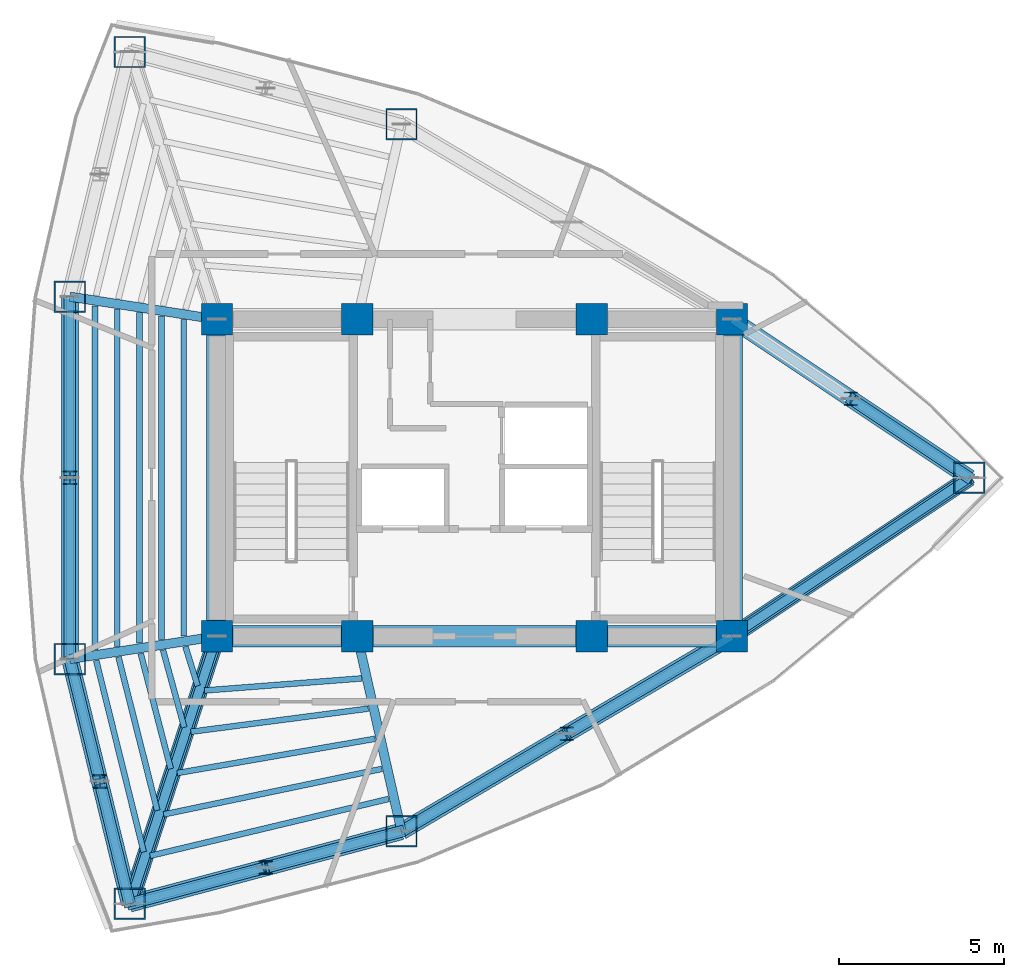
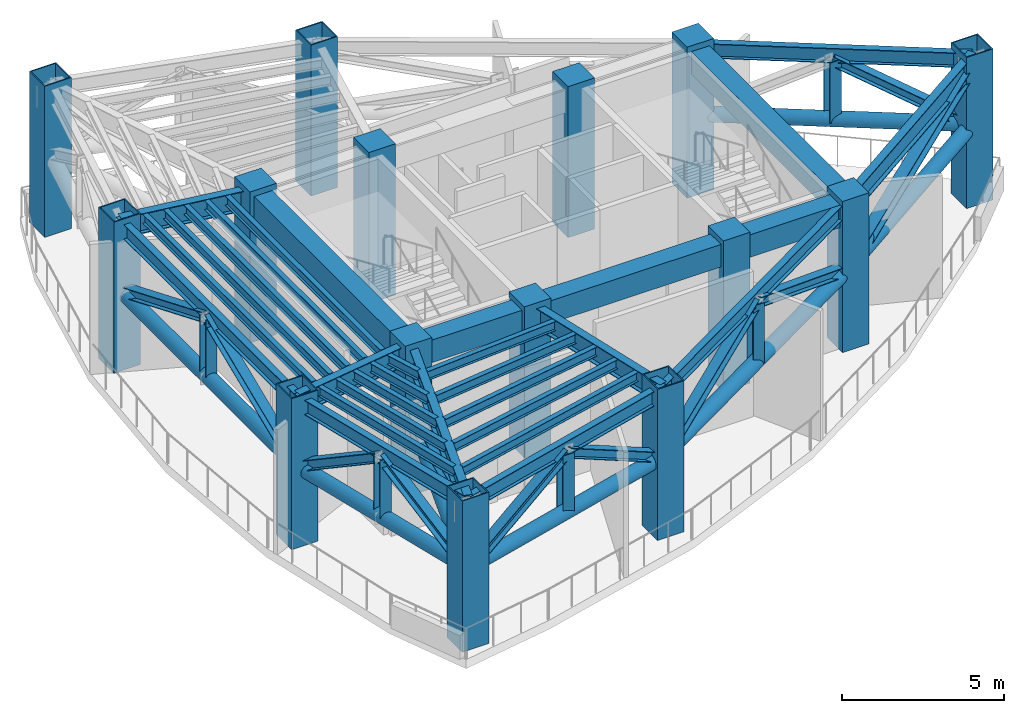
# One storey, part 1 of 6: 30 beams, 23 members, 15 columns.
"""IFC4 building model written with IfcOpenShell, lengths in metres."""

from ifc_helpers import new_model, si_unit, direction, frame, origin, origin_2d, place, context, subcontext, project, spatial, rectangle, hollow_rectangle, hollow_circle, i_section, extrude, material, material_profile, profile_set, type_object, element, save


model = new_model("IFC4")

# Units and contexts
model_context = context("Model", 3, precision=1e-05, world=origin(), true_north=direction((0.0, 1.0)))
body_context = subcontext(model_context, "Body", "Model", "MODEL_VIEW")
ifc_project = project(units=[si_unit("LENGTHUNIT", "METRE"), si_unit("AREAUNIT", "SQUARE_METRE"), si_unit("VOLUMEUNIT", "CUBIC_METRE"), si_unit("PLANEANGLEUNIT", "RADIAN"), si_unit("MASSUNIT", "GRAM", prefix="KILO")], contexts=[model_context])

# Site, building, storey
site_placement = place(None, origin())
site = spatial("IfcSite", under=ifc_project, at=site_placement, CompositionType="ELEMENT")
building_placement = place(site_placement, origin())
building = spatial("IfcBuilding", under=site, at=building_placement, Name="Menara Vayukalpa", CompositionType="ELEMENT")
storey_placement = place(building_placement, frame((0.0, 0.0, 213.840087890625)))
storey = spatial("IfcBuildingStorey", under=building, at=storey_placement, Name="L54", CompositionType="ELEMENT", Elevation=213.840087890625)

# Columns
ifc_material_1 = material(Name="Concrete C60/75", Category="concrete")
ifc_material_profile_1 = material_profile(ifc_material_1, rectangle(XDim=0.949951171875, YDim=0.949951171875, at=origin_2d()), Name="RC 950x950")
ifc_profile_set_1 = profile_set([ifc_material_profile_1], Name="Concrete C60/75")
column_type_1 = type_object("IfcColumnType", Name="COL-CC2", PredefinedType="COLUMN", material=ifc_profile_set_1)
for number, where, z_axis, x_axis, name in (
    (1, (17.800048828125, 17.199951171875, 0.0), (0.0, 0.0, 1.0), (1.0, 0.0, 0.0), "L54 Core Pilaster Column CC1"),
    (2, (22.050048828125, 17.199951171875, 0.0), (0.0, 0.0, 1.0), (1.0, 0.0, 0.0), "L54 Core Pilaster Column CC2"),
    (3, (29.14990234375, 17.199951171875, 0.0), (0.0, 0.0, 1.0), (1.0, 0.0, 0.0), "L54 Core Pilaster Column CC3"),
    (4, (33.39990234375, 17.199951171875, 0.0), (0.0, 0.0, 1.0), (1.0, 0.0, 0.0), "L54 Core Pilaster Column CC4"),
    (5, (17.800048828125, 26.800048828125, 0.0), (0.0, 0.0, 1.0), (1.0, 0.0, 0.0), "L54 Core Pilaster Column CC5"),
    (6, (22.050048828125, 26.800048828125, 0.0), (0.0, 0.0, 1.0), (1.0, 0.0, 0.0), "L54 Core Pilaster Column CC6"),
    (7, (29.14990234375, 26.800048828125, 0.0), (0.0, 0.0, 1.0), (1.0, 0.0, 0.0), "L54 Core Pilaster Column CC7"),
    (8, (33.39990234375, 26.800048828125, 0.0), (0.0, 0.0, 1.0), (1.0, 0.0, 0.0), "L54 Core Pilaster Column CC8"),
):
    element("IfcColumn", number, at=place(storey_placement, frame(where, z_axis=z_axis, x_axis=x_axis)), inside=storey, type_object=column_type_1, Name=name, PredefinedType="COLUMN", context=body_context, shape_type="SweptSolid", body=[
        extrude(rectangle(XDim=0.949951171875, YDim=0.949951171875, at=origin_2d()), origin(), (0.0, 0.0, 1.0), 5.699951171875),
    ])
ifc_material_2 = material(Name="Steel S460", Category="steel")
ifc_material_profile_2 = material_profile(ifc_material_2, hollow_rectangle(XDim=0.949951171875, YDim=0.949951171875, WallThickness=0.0400390625, at=origin_2d()), Name="BOX 950x950x40")
ifc_profile_set_2 = profile_set([ifc_material_profile_2], Name="Steel S460")
column_type_2 = type_object("IfcColumnType", Name="COL-MC4", PredefinedType="COLUMN", material=ifc_profile_set_2)
for number, where, z_axis, x_axis, name in (
    (9, (40.590576171875, 22.0, 0.0), (0.0, 0.0, 1.0), (1.0, 0.0, 0.0), "L54 Perimeter Mega Column P01"),
    (10, (23.389404296875, 32.70849609375, 0.0), (0.0, 0.0, 1.0), (1.0, 0.0, 0.0), "L54 Perimeter Mega Column P03"),
    (11, (15.15478515625, 34.902587890625, 0.0), (0.0, 0.0, 1.0), (1.0, 0.0, 0.0), "L54 Perimeter Mega Column P04"),
    (12, (13.343994140625, 27.4892578125, 0.0), (0.0, 0.0, 1.0), (1.0, 0.0, 0.0), "L54 Perimeter Mega Column P05"),
    (13, (13.343994140625, 16.5107421875, 0.0), (0.0, 0.0, 1.0), (1.0, 0.0, 0.0), "L54 Perimeter Mega Column P06"),
    (14, (15.15478515625, 9.097412109375, 0.0), (0.0, 0.0, 1.0), (1.0, 0.0, 0.0), "L54 Perimeter Mega Column P07"),
    (15, (23.389404296875, 11.29150390625, 0.0), (0.0, 0.0, 1.0), (1.0, 0.0, 0.0), "L54 Perimeter Mega Column P08"),
):
    element("IfcColumn", number, at=place(storey_placement, frame(where, z_axis=z_axis, x_axis=x_axis)), inside=storey, type_object=column_type_2, Name=name, PredefinedType="COLUMN", context=body_context, shape_type="SweptSolid", body=[
        extrude(hollow_rectangle(XDim=0.949951171875, YDim=0.949951171875, WallThickness=0.0400390625, at=origin_2d()), origin(), (0.0, 0.0, 1.0), 5.699951171875),
    ])

# Beams
ifc_material_3 = material(Name="Concrete C60/75", Category="concrete")
ifc_material_profile_3 = material_profile(ifc_material_3, rectangle(XDim=0.64990234375, YDim=0.85009765625, at=origin_2d()), Name="RC 650x850")
ifc_profile_set_3 = profile_set([ifc_material_profile_3], Name="Concrete C60/75")
beam_type_1 = type_object("IfcBeamType", Name="BM-CB1", PredefinedType="BEAM", material=ifc_profile_set_3)
beam_1_placement = place(storey_placement, frame((17.800048828125, 17.199951171875, 5.054931640625), z_axis=(1.0, 0.0, 0.0), x_axis=(0.0, 1.0, 0.0)))
element("IfcBeam", 16, at=beam_1_placement, inside=storey, type_object=beam_type_1, Name="L54 Core Tie Beam CBR1", PredefinedType="BEAM", context=body_context, shape_type="SweptSolid", body=[
    extrude(rectangle(XDim=0.64990234375, YDim=0.85009765625, at=origin_2d()), origin(), (0.0, 0.0, 1.0), 4.25),
])
beam_2_placement = place(storey_placement, frame((22.050048828125, 17.199951171875, 5.054931640625), z_axis=(1.0, 0.0, 0.0), x_axis=(0.0, 1.0, 0.0)))
element("IfcBeam", 17, at=beam_2_placement, inside=storey, type_object=beam_type_1, Name="L54 Core Tie Beam CBR2", PredefinedType="BEAM", context=body_context, shape_type="SweptSolid", body=[
    extrude(rectangle(XDim=0.64990234375, YDim=0.85009765625, at=origin_2d()), origin(), (0.0, 0.0, 1.0), 7.099853515625),
])
beam_3_placement = place(storey_placement, frame((29.14990234375, 17.199951171875, 5.054931640625), z_axis=(1.0, 0.0, 0.0), x_axis=(0.0, 1.0, 0.0)))
element("IfcBeam", 18, at=beam_3_placement, inside=storey, type_object=beam_type_1, Name="L54 Core Tie Beam CBR3", PredefinedType="BEAM", context=body_context, shape_type="SweptSolid", body=[
    extrude(rectangle(XDim=0.64990234375, YDim=0.85009765625, at=origin_2d()), origin(), (0.0, 0.0, 1.0), 4.25),
])
for number, where, z_axis, x_axis, name in (
    (19, (17.800048828125, 17.199951171875, 5.054931640625), (0.0, 1.0, 0.0), (-1.0, 0.0, 0.0), "L54 Core Tie Beam CBR7"),
    (20, (33.39990234375, 17.199951171875, 5.054931640625), (0.0, 1.0, 0.0), (-1.0, 0.0, 0.0), "L54 Core Tie Beam CBR8"),
):
    element("IfcBeam", number, at=place(storey_placement, frame(where, z_axis=z_axis, x_axis=x_axis)), inside=storey, type_object=beam_type_1, Name=name, PredefinedType="BEAM", context=body_context, shape_type="SweptSolid", body=[
        extrude(rectangle(XDim=0.64990234375, YDim=0.85009765625, at=origin_2d()), origin(), (0.0, 0.0, 1.0), 9.60009765625),
    ])
ifc_material_4 = material(Name="Steel S355", Category="steel")
ifc_material_profile_4 = material_profile(ifc_material_4, i_section(OverallWidth=0.280029296875, OverallDepth=0.75, WebThickness=0.013916015625, FlangeThickness=0.02490234375, at=origin_2d()), Name="WF 750x280x14x25")
ifc_profile_set_4 = profile_set([ifc_material_profile_4], Name="Steel S355")
beam_type_2 = type_object("IfcBeamType", Name="BM-PG4", PredefinedType="BEAM", material=ifc_profile_set_4)
beam_4_placement = place(storey_placement, frame((33.60791015625, 17.3388671875, 5.10498046875), z_axis=(0.831719080732, 0.555196695547, 0.0), x_axis=(-0.555196695547, 0.831719080732, 0.0)))
element("IfcBeam", 21, at=beam_4_placement, inside=storey, type_object=beam_type_2, Name="L54 Primary Radial Girder RG01", PredefinedType="BEAM", context=body_context, shape_type="SweptSolid", body=[
    extrude(i_section(OverallWidth=0.280029296875, OverallDepth=0.75, WebThickness=0.013916015625, FlangeThickness=0.02490234375, at=origin_2d()), origin(), (0.0, 0.0, 1.0), 8.3955078125),
])
for number, where, z_axis, x_axis, name in (
    (22, (17.552978515625, 26.838134765625, 5.10498046875), (-0.988244781219, 0.152879862617, 0.0), (-0.152879862617, -0.988244781219, 0.0), "L54 Primary Radial Girder RG05"),
    (23, (17.552978515625, 17.161865234375, 5.10498046875), (-0.988244781219, -0.152879862617, 0.0), (0.152879862617, -0.988244781219, 0.0), "L54 Primary Radial Girder RG06"),
):
    element("IfcBeam", number, at=place(storey_placement, frame(where, z_axis=z_axis, x_axis=x_axis)), inside=storey, type_object=beam_type_2, Name=name, PredefinedType="BEAM", context=body_context, shape_type="SweptSolid", body=[
        extrude(i_section(OverallWidth=0.280029296875, OverallDepth=0.75, WebThickness=0.013916015625, FlangeThickness=0.02490234375, at=origin_2d()), origin(), (0.0, 0.0, 1.0), 4.259033203125),
    ])
beam_5_placement = place(storey_placement, frame((17.722412109375, 16.96240234375, 5.10498046875), z_axis=(-0.310343552153, -0.950624468251, 0.0), x_axis=(0.950624468251, -0.310343552153, 0.0)))
element("IfcBeam", 24, at=beam_5_placement, inside=storey, type_object=beam_type_2, Name="L54 Primary Radial Girder RG07", PredefinedType="BEAM", context=body_context, shape_type="SweptSolid", body=[
    extrude(i_section(OverallWidth=0.280029296875, OverallDepth=0.75, WebThickness=0.013916015625, FlangeThickness=0.02490234375, at=origin_2d()), origin(), (0.0, 0.0, 1.0), 8.2734375),
])
beam_6_placement = place(storey_placement, frame((22.105224609375, 16.956298828125, 5.10498046875), z_axis=(0.221085149161, -0.975254508741, 0.0), x_axis=(0.975254508741, 0.221085149161, 0.0)))
element("IfcBeam", 25, at=beam_6_placement, inside=storey, type_object=beam_type_2, Name="L54 Primary Radial Girder RG08", PredefinedType="BEAM", context=body_context, shape_type="SweptSolid", body=[
    extrude(i_section(OverallWidth=0.280029296875, OverallDepth=0.75, WebThickness=0.013916015625, FlangeThickness=0.02490234375, at=origin_2d()), origin(), (0.0, 0.0, 1.0), 5.80859375),
])
ifc_material_5 = material(Name="Steel S355", Category="steel")
ifc_material_profile_5 = material_profile(ifc_material_5, i_section(OverallWidth=0.175048828125, OverallDepth=0.35009765625, WebThickness=0.007080078125, FlangeThickness=0.010986328125, at=origin_2d()), Name="WF 350x175x7x11")
ifc_profile_set_5 = profile_set([ifc_material_profile_5], Name="Steel S355")
beam_type_3 = type_object("IfcBeamType", Name="BM-SJ3", PredefinedType="JOIST", material=ifc_profile_set_5)
beam_7_placement = place(storey_placement, frame((16.79541015625, 26.79541015625, 5.304931640625), z_axis=(0.0, -1.0, 0.0), x_axis=(1.0, 0.0, 0.0)))
element("IfcBeam", 26, at=beam_7_placement, inside=storey, type_object=beam_type_3, Name="L54 Secondary Floor Joist SJ05-1", PredefinedType="JOIST", context=body_context, shape_type="SweptSolid", body=[
    extrude(i_section(OverallWidth=0.175048828125, OverallDepth=0.35009765625, WebThickness=0.007080078125, FlangeThickness=0.010986328125, at=origin_2d()), origin(), (0.0, 0.0, 1.0), 9.5908203125),
])
beam_8_placement = place(storey_placement, frame((16.121826171875, 26.8994140625, 5.304931640625), z_axis=(0.0, -1.0, 0.0), x_axis=(1.0, 0.0, 0.0)))
element("IfcBeam", 27, at=beam_8_placement, inside=storey, type_object=beam_type_3, Name="L54 Secondary Floor Joist SJ05-2", PredefinedType="JOIST", context=body_context, shape_type="SweptSolid", body=[
    extrude(i_section(OverallWidth=0.175048828125, OverallDepth=0.35009765625, WebThickness=0.007080078125, FlangeThickness=0.010986328125, at=origin_2d()), origin(), (0.0, 0.0, 1.0), 9.798828125),
])
beam_9_placement = place(storey_placement, frame((15.448486328125, 27.003662109375, 5.304931640625), z_axis=(0.0, -1.0, 0.0), x_axis=(1.0, 0.0, 0.0)))
element("IfcBeam", 28, at=beam_9_placement, inside=storey, type_object=beam_type_3, Name="L54 Secondary Floor Joist SJ05-3", PredefinedType="JOIST", context=body_context, shape_type="SweptSolid", body=[
    extrude(i_section(OverallWidth=0.175048828125, OverallDepth=0.35009765625, WebThickness=0.007080078125, FlangeThickness=0.010986328125, at=origin_2d()), origin(), (0.0, 0.0, 1.0), 10.00732421875),
])
beam_10_placement = place(storey_placement, frame((14.77490234375, 27.10791015625, 5.304931640625), z_axis=(0.0, -1.0, 0.0), x_axis=(1.0, 0.0, 0.0)))
element("IfcBeam", 29, at=beam_10_placement, inside=storey, type_object=beam_type_3, Name="L54 Secondary Floor Joist SJ05-4", PredefinedType="JOIST", context=body_context, shape_type="SweptSolid", body=[
    extrude(i_section(OverallWidth=0.175048828125, OverallDepth=0.35009765625, WebThickness=0.007080078125, FlangeThickness=0.010986328125, at=origin_2d()), origin(), (0.0, 0.0, 1.0), 10.2158203125),
])
beam_11_placement = place(storey_placement, frame((14.1015625, 27.2119140625, 5.304931640625), z_axis=(0.0, -1.0, 0.0), x_axis=(1.0, 0.0, 0.0)))
element("IfcBeam", 30, at=beam_11_placement, inside=storey, type_object=beam_type_3, Name="L54 Secondary Floor Joist SJ05-5", PredefinedType="JOIST", context=body_context, shape_type="SweptSolid", body=[
    extrude(i_section(OverallWidth=0.175048828125, OverallDepth=0.35009765625, WebThickness=0.007080078125, FlangeThickness=0.010986328125, at=origin_2d()), origin(), (0.0, 0.0, 1.0), 10.423828125),
])
beam_12_placement = place(storey_placement, frame((16.8427734375, 16.891845703125, 5.304931640625), z_axis=(0.296448419226, -0.955048865105, 0.0), x_axis=(0.955048865105, 0.296448419226, 0.0)))
element("IfcBeam", 31, at=beam_12_placement, inside=storey, type_object=beam_type_3, Name="L54 Secondary Floor Joist SJ06-1", PredefinedType="JOIST", context=body_context, shape_type="SweptSolid", body=[
    extrude(i_section(OverallWidth=0.175048828125, OverallDepth=0.35009765625, WebThickness=0.007080078125, FlangeThickness=0.010986328125, at=origin_2d()), origin(), (0.0, 0.0, 1.0), 1.24853515625),
])
beam_13_placement = place(storey_placement, frame((16.164306640625, 16.7861328125, 5.304931640625), z_axis=(0.264502665082, -0.964384954344, 0.0), x_axis=(0.964384954344, 0.264502665082, 0.0)))
element("IfcBeam", 32, at=beam_13_placement, inside=storey, type_object=beam_type_3, Name="L54 Secondary Floor Joist SJ06-2", PredefinedType="JOIST", context=body_context, shape_type="SweptSolid", body=[
    extrude(i_section(OverallWidth=0.175048828125, OverallDepth=0.35009765625, WebThickness=0.007080078125, FlangeThickness=0.010986328125, at=origin_2d()), origin(), (0.0, 0.0, 1.0), 2.430419921875),
])
beam_14_placement = place(storey_placement, frame((15.48876953125, 16.681396484375, 5.304931640625), z_axis=(0.251714869346, -0.967801438597, 0.0), x_axis=(0.967801438597, 0.251714869346, 0.0)))
element("IfcBeam", 33, at=beam_14_placement, inside=storey, type_object=beam_type_3, Name="L54 Secondary Floor Joist SJ06-3", PredefinedType="JOIST", context=body_context, shape_type="SweptSolid", body=[
    extrude(i_section(OverallWidth=0.175048828125, OverallDepth=0.35009765625, WebThickness=0.007080078125, FlangeThickness=0.010986328125, at=origin_2d()), origin(), (0.0, 0.0, 1.0), 3.61279296875),
])
beam_15_placement = place(storey_placement, frame((14.814208984375, 16.576904296875, 5.304931640625), z_axis=(0.24483447751, -0.969564891393, 0.0), x_axis=(0.969564891393, 0.24483447751, 0.0)))
element("IfcBeam", 34, at=beam_15_placement, inside=storey, type_object=beam_type_3, Name="L54 Secondary Floor Joist SJ06-4", PredefinedType="JOIST", context=body_context, shape_type="SweptSolid", body=[
    extrude(i_section(OverallWidth=0.175048828125, OverallDepth=0.35009765625, WebThickness=0.007080078125, FlangeThickness=0.010986328125, at=origin_2d()), origin(), (0.0, 0.0, 1.0), 4.79638671875),
])
beam_16_placement = place(storey_placement, frame((14.14013671875, 16.47265625, 5.304931640625), z_axis=(0.240556182956, -0.970635216156, 0.0), x_axis=(0.970635216156, 0.240556182956, 0.0)))
element("IfcBeam", 35, at=beam_16_placement, inside=storey, type_object=beam_type_3, Name="L54 Secondary Floor Joist SJ06-5", PredefinedType="JOIST", context=body_context, shape_type="SweptSolid", body=[
    extrude(i_section(OverallWidth=0.175048828125, OverallDepth=0.35009765625, WebThickness=0.007080078125, FlangeThickness=0.010986328125, at=origin_2d()), origin(), (0.0, 0.0, 1.0), 5.979736328125),
])
beam_17_placement = place(storey_placement, frame((17.419921875, 15.558837890625, 5.304931640625), z_axis=(0.997061705182, 0.076602585202, 0.0), x_axis=(-0.076602585202, 0.997061705182, 0.0)))
element("IfcBeam", 36, at=beam_17_placement, inside=storey, type_object=beam_type_3, Name="L54 Secondary Floor Joist SJ07-1", PredefinedType="JOIST", context=body_context, shape_type="SweptSolid", body=[
    extrude(i_section(OverallWidth=0.175048828125, OverallDepth=0.35009765625, WebThickness=0.007080078125, FlangeThickness=0.010986328125, at=origin_2d()), origin(), (0.0, 0.0, 1.0), 4.77099609375),
])
beam_18_placement = place(storey_placement, frame((17.008056640625, 14.308837890625, 5.304931640625), z_axis=(0.99161070493, 0.129260240866, 0.0), x_axis=(-0.129260240866, 0.99161070493, 0.0)))
element("IfcBeam", 37, at=beam_18_placement, inside=storey, type_object=beam_type_3, Name="L54 Secondary Floor Joist SJ07-2", PredefinedType="JOIST", context=body_context, shape_type="SweptSolid", body=[
    extrude(i_section(OverallWidth=0.175048828125, OverallDepth=0.35009765625, WebThickness=0.007080078125, FlangeThickness=0.010986328125, at=origin_2d()), origin(), (0.0, 0.0, 1.0), 5.420654296875),
])
beam_19_placement = place(storey_placement, frame((16.59619140625, 13.05712890625, 5.304931640625), z_axis=(0.985288833054, 0.170897382832, 0.0), x_axis=(-0.170897382832, 0.985288833054, 0.0)))
element("IfcBeam", 38, at=beam_19_placement, inside=storey, type_object=beam_type_3, Name="L54 Secondary Floor Joist SJ07-3", PredefinedType="JOIST", context=body_context, shape_type="SweptSolid", body=[
    extrude(i_section(OverallWidth=0.175048828125, OverallDepth=0.35009765625, WebThickness=0.007080078125, FlangeThickness=0.010986328125, at=origin_2d()), origin(), (0.0, 0.0, 1.0), 6.0830078125),
])
beam_20_placement = place(storey_placement, frame((16.184326171875, 11.80419921875, 5.304931640625), z_axis=(0.97888709748, 0.204401688806, 0.0), x_axis=(-0.204401688806, 0.97888709748, 0.0)))
element("IfcBeam", 39, at=beam_20_placement, inside=storey, type_object=beam_type_3, Name="L54 Secondary Floor Joist SJ07-4", PredefinedType="JOIST", context=body_context, shape_type="SweptSolid", body=[
    extrude(i_section(OverallWidth=0.175048828125, OverallDepth=0.35009765625, WebThickness=0.007080078125, FlangeThickness=0.010986328125, at=origin_2d()), origin(), (0.0, 0.0, 1.0), 6.75439453125),
])
beam_21_placement = place(storey_placement, frame((15.772705078125, 10.55029296875, 5.304931640625), z_axis=(0.972731800574, 0.231932844055, 0.0), x_axis=(-0.231932844055, 0.972731800574, 0.0)))
element("IfcBeam", 40, at=beam_21_placement, inside=storey, type_object=beam_type_3, Name="L54 Secondary Floor Joist SJ07-5", PredefinedType="JOIST", context=body_context, shape_type="SweptSolid", body=[
    extrude(i_section(OverallWidth=0.175048828125, OverallDepth=0.35009765625, WebThickness=0.007080078125, FlangeThickness=0.010986328125, at=origin_2d()), origin(), (0.0, 0.0, 1.0), 7.4326171875),
])
ifc_material_6 = material(Name="Steel S355", Category="steel")
ifc_material_profile_6 = material_profile(ifc_material_6, i_section(OverallWidth=0.239990234375, OverallDepth=0.550048828125, WebThickness=0.010986328125, FlangeThickness=0.01904296875, at=origin_2d()), Name="WF 550x240x11x19")
ifc_profile_set_6 = profile_set([ifc_material_profile_6], Name="Steel S355")
beam_type_4 = type_object("IfcBeamType", Name="BM-SP2", PredefinedType="SPANDREL", material=ifc_profile_set_6)
beam_22_placement = place(storey_placement, frame((40.590576171875, 22.0, 5.204833984375), z_axis=(-0.831715622571, 0.555201876052, 0.0), x_axis=(-0.555201876052, -0.831715622571, 0.0)))
element("IfcBeam", 41, at=beam_22_placement, inside=storey, type_object=beam_type_4, Name="L54 Perimeter Spandrel Beam SP01", PredefinedType="SPANDREL", context=body_context, shape_type="SweptSolid", body=[
    extrude(i_section(OverallWidth=0.239990234375, OverallDepth=0.550048828125, WebThickness=0.010986328125, FlangeThickness=0.01904296875, at=origin_2d()), origin(), (0.0, 0.0, 1.0), 8.6455078125),
])
beam_23_placement = place(storey_placement, frame((13.343994140625, 27.4892578125, 5.204833984375), z_axis=(0.0, -1.0, 0.0), x_axis=(1.0, 0.0, 0.0)))
element("IfcBeam", 42, at=beam_23_placement, inside=storey, type_object=beam_type_4, Name="L54 Perimeter Spandrel Beam SP05", PredefinedType="SPANDREL", context=body_context, shape_type="SweptSolid", body=[
    extrude(i_section(OverallWidth=0.239990234375, OverallDepth=0.550048828125, WebThickness=0.010986328125, FlangeThickness=0.01904296875, at=origin_2d()), origin(), (0.0, 0.0, 1.0), 10.978515625),
])
beam_24_placement = place(storey_placement, frame((13.343994140625, 16.5107421875, 5.204833984375), z_axis=(0.237285374413, -0.971439988414, 0.0), x_axis=(0.971439988414, 0.237285374413, 0.0)))
element("IfcBeam", 43, at=beam_24_placement, inside=storey, type_object=beam_type_4, Name="L54 Perimeter Spandrel Beam SP06", PredefinedType="SPANDREL", context=body_context, shape_type="SweptSolid", body=[
    extrude(i_section(OverallWidth=0.239990234375, OverallDepth=0.550048828125, WebThickness=0.010986328125, FlangeThickness=0.01904296875, at=origin_2d()), origin(), (0.0, 0.0, 1.0), 7.63134765625),
])
beam_25_placement = place(storey_placement, frame((15.15478515625, 9.097412109375, 5.204833984375), z_axis=(0.966287699272, 0.25746472037, 0.0), x_axis=(-0.25746472037, 0.966287699272, 0.0)))
element("IfcBeam", 44, at=beam_25_placement, inside=storey, type_object=beam_type_4, Name="L54 Perimeter Spandrel Beam SP07", PredefinedType="SPANDREL", context=body_context, shape_type="SweptSolid", body=[
    extrude(i_section(OverallWidth=0.239990234375, OverallDepth=0.550048828125, WebThickness=0.010986328125, FlangeThickness=0.01904296875, at=origin_2d()), origin(), (0.0, 0.0, 1.0), 8.52197265625),
])
beam_26_placement = place(storey_placement, frame((23.389404296875, 11.29150390625, 5.204833984375), z_axis=(0.861184403346, 0.508292655302, 0.0), x_axis=(-0.508292655302, 0.861184403346, 0.0)))
element("IfcBeam", 45, at=beam_26_placement, inside=storey, type_object=beam_type_4, Name="L54 Perimeter Spandrel Beam SP08", PredefinedType="SPANDREL", context=body_context, shape_type="SweptSolid", body=[
    extrude(i_section(OverallWidth=0.239990234375, OverallDepth=0.550048828125, WebThickness=0.010986328125, FlangeThickness=0.01904296875, at=origin_2d()), origin(), (0.0, 0.0, 1.0), 11.6240234375),
])

# Members
ifc_material_7 = material(Name="Steel S355", Category="steel")
ifc_material_profile_7 = material_profile(ifc_material_7, i_section(OverallWidth=0.35009765625, OverallDepth=0.35009765625, WebThickness=0.011962890625, FlangeThickness=0.01904296875, at=origin_2d()), Name="H 350x350x12x19")
ifc_profile_set_7 = profile_set([ifc_material_profile_7], Name="Steel S355")
member_type_1 = type_object("IfcMemberType", Name="MEM-BT1", PredefinedType="BRACE", material=ifc_profile_set_7)
member_1_placement = place(storey_placement, frame((40.590576171875, 22.0, 2.75), z_axis=(-0.735678677645, 0.49105190475, 0.46652428672), x_axis=(-0.555169301902, -0.831737366135, 0.0)))
element("IfcMember", 46, at=member_1_placement, inside=storey, type_object=member_type_1, Name="L54 Belt Truss Diagonal A01", PredefinedType="BRACE", context=body_context, shape_type="SweptSolid", body=[
    extrude(i_section(OverallWidth=0.35009765625, OverallDepth=0.35009765625, WebThickness=0.011962890625, FlangeThickness=0.01904296875, at=origin_2d()), origin(), (0.0, 0.0, 1.0), 4.88720703125),
])
for number, where, z_axis, x_axis, name in (
    (47, (13.343994140625, 27.4892578125, 2.75), (0.0, -0.923504103387, 0.383588543921), (1.0, 0.0, 0.0), "L54 Belt Truss Diagonal A05"),
    (48, (13.343994140625, 16.5107421875, 2.75), (0.0, 0.923504103387, 0.383588543921), (-1.0, 0.0, 0.0), "L54 Belt Truss Diagonal B05"),
):
    element("IfcMember", number, at=place(storey_placement, frame(where, z_axis=z_axis, x_axis=x_axis)), inside=storey, type_object=member_type_1, Name=name, PredefinedType="BRACE", context=body_context, shape_type="SweptSolid", body=[
        extrude(i_section(OverallWidth=0.35009765625, OverallDepth=0.35009765625, WebThickness=0.011962890625, FlangeThickness=0.01904296875, at=origin_2d()), origin(), (0.0, 0.0, 1.0), 5.94384765625),
    ])
member_2_placement = place(storey_placement, frame((13.343994140625, 16.5107421875, 2.75), z_axis=(0.203721499427, -0.83389048377, 0.512956344877), x_axis=(0.971430811728, 0.23732294037, 0.0)))
element("IfcMember", 49, at=member_2_placement, inside=storey, type_object=member_type_1, Name="L54 Belt Truss Diagonal A06", PredefinedType="BRACE", context=body_context, shape_type="SweptSolid", body=[
    extrude(i_section(OverallWidth=0.35009765625, OverallDepth=0.35009765625, WebThickness=0.011962890625, FlangeThickness=0.01904296875, at=origin_2d()), origin(), (0.0, 0.0, 1.0), 4.44482421875),
])
member_3_placement = place(storey_placement, frame((15.15478515625, 9.097412109375, 2.75), z_axis=(-0.203659523443, 0.833916543806, 0.512938589383), x_axis=(-0.971449163216, -0.237247809867, 0.0)))
element("IfcMember", 50, at=member_3_placement, inside=storey, type_object=member_type_1, Name="L54 Belt Truss Diagonal B06", PredefinedType="BRACE", context=body_context, shape_type="SweptSolid", body=[
    extrude(i_section(OverallWidth=0.35009765625, OverallDepth=0.35009765625, WebThickness=0.011962890625, FlangeThickness=0.01904296875, at=origin_2d()), origin(), (0.0, 0.0, 1.0), 4.445068359375),
])
member_4_placement = place(storey_placement, frame((15.15478515625, 9.097412109375, 2.75), z_axis=(0.851983740415, 0.227027271238, 0.471786311992), x_axis=(-0.257484341808, 0.96628247098, 0.0)))
element("IfcMember", 51, at=member_4_placement, inside=storey, type_object=member_type_1, Name="L54 Belt Truss Diagonal A07", PredefinedType="BRACE", context=body_context, shape_type="SweptSolid", body=[
    extrude(i_section(OverallWidth=0.35009765625, OverallDepth=0.35009765625, WebThickness=0.011962890625, FlangeThickness=0.01904296875, at=origin_2d()), origin(), (0.0, 0.0, 1.0), 4.832763671875),
])
member_5_placement = place(storey_placement, frame((23.389404296875, 11.29150390625, 2.75), z_axis=(-0.851979662485, -0.226989126159, 0.471812029646), x_axis=(0.25744509745, -0.966292927532, 0.0)))
element("IfcMember", 52, at=member_5_placement, inside=storey, type_object=member_type_1, Name="L54 Belt Truss Diagonal B07", PredefinedType="BRACE", context=body_context, shape_type="SweptSolid", body=[
    extrude(i_section(OverallWidth=0.35009765625, OverallDepth=0.35009765625, WebThickness=0.011962890625, FlangeThickness=0.01904296875, at=origin_2d()), origin(), (0.0, 0.0, 1.0), 4.83251953125),
])
member_6_placement = place(storey_placement, frame((23.389404296875, 11.29150390625, 2.75), z_axis=(0.801701982882, 0.473192649247, 0.365188509323), x_axis=(-0.508299038007, 0.861180636081, 0.0)))
element("IfcMember", 53, at=member_6_placement, inside=storey, type_object=member_type_1, Name="L54 Belt Truss Diagonal A08", PredefinedType="BRACE", context=body_context, shape_type="SweptSolid", body=[
    extrude(i_section(OverallWidth=0.35009765625, OverallDepth=0.35009765625, WebThickness=0.011962890625, FlangeThickness=0.01904296875, at=origin_2d()), origin(), (0.0, 0.0, 1.0), 6.243408203125),
])
member_7_placement = place(storey_placement, frame((33.39990234375, 17.199951171875, 2.75), z_axis=(-0.80170284632, -0.473177134797, 0.365206715857), x_axis=(0.508286272203, -0.861188170779, 0.0)))
element("IfcMember", 54, at=member_7_placement, inside=storey, type_object=member_type_1, Name="L54 Belt Truss Diagonal B08", PredefinedType="BRACE", context=body_context, shape_type="SweptSolid", body=[
    extrude(i_section(OverallWidth=0.35009765625, OverallDepth=0.35009765625, WebThickness=0.011962890625, FlangeThickness=0.01904296875, at=origin_2d()), origin(), (0.0, 0.0, 1.0), 6.2431640625),
])
ifc_material_8 = material(Name="Steel S460", Category="steel")
ifc_material_profile_8 = material_profile(ifc_material_8, hollow_circle(Radius=0.25390625, WallThickness=0.02490234375, at=origin_2d()), Name="CHS 508.0x25")
ifc_profile_set_8 = profile_set([ifc_material_profile_8], Name="Steel S460")
member_type_2 = type_object("IfcMemberType", Name="MEM-CH1", PredefinedType="CHORD", material=ifc_profile_set_8)
member_8_placement = place(storey_placement, frame((33.39990234375, 17.199951171875, 2.75), z_axis=(0.831715622571, 0.555201876052, 0.0), x_axis=(-0.555201876052, 0.831715622571, 0.0)))
element("IfcMember", 55, at=member_8_placement, inside=storey, type_object=member_type_2, Name="L54 Outrigger Bottom Chord 01", PredefinedType="CHORD", context=body_context, shape_type="SweptSolid", body=[
    extrude(hollow_circle(Radius=0.25390625, WallThickness=0.02490234375, at=origin_2d()), origin(), (0.0, 0.0, 1.0), 8.6455078125),
])
member_9_placement = place(storey_placement, frame((17.800048828125, 17.199951171875, 2.75), z_axis=(-0.310352655001, -0.950621496461, 0.0), x_axis=(0.950621496461, -0.310352655001, 0.0)))
element("IfcMember", 56, at=member_9_placement, inside=storey, type_object=member_type_2, Name="L54 Outrigger Bottom Chord 07", PredefinedType="CHORD", context=body_context, shape_type="SweptSolid", body=[
    extrude(hollow_circle(Radius=0.25390625, WallThickness=0.02490234375, at=origin_2d()), origin(), (0.0, 0.0, 1.0), 8.5234375),
])
member_10_placement = place(storey_placement, frame((40.590576171875, 22.0, 2.75), z_axis=(-0.831715622571, 0.555201876052, 0.0), x_axis=(-0.555201876052, -0.831715622571, 0.0)))
element("IfcMember", 57, at=member_10_placement, inside=storey, type_object=member_type_2, Name="L54 Belt Truss Bottom Chord 01", PredefinedType="CHORD", context=body_context, shape_type="SweptSolid", body=[
    extrude(hollow_circle(Radius=0.25390625, WallThickness=0.02490234375, at=origin_2d()), origin(), (0.0, 0.0, 1.0), 8.6455078125),
])
member_11_placement = place(storey_placement, frame((13.343994140625, 27.4892578125, 2.75), z_axis=(0.0, -1.0, 0.0), x_axis=(1.0, 0.0, 0.0)))
element("IfcMember", 58, at=member_11_placement, inside=storey, type_object=member_type_2, Name="L54 Belt Truss Bottom Chord 05", PredefinedType="CHORD", context=body_context, shape_type="SweptSolid", body=[
    extrude(hollow_circle(Radius=0.25390625, WallThickness=0.02490234375, at=origin_2d()), origin(), (0.0, 0.0, 1.0), 10.978515625),
])
member_12_placement = place(storey_placement, frame((13.343994140625, 16.5107421875, 2.75), z_axis=(0.237285374413, -0.971439988414, 0.0), x_axis=(0.971439988414, 0.237285374413, 0.0)))
element("IfcMember", 59, at=member_12_placement, inside=storey, type_object=member_type_2, Name="L54 Belt Truss Bottom Chord 06", PredefinedType="CHORD", context=body_context, shape_type="SweptSolid", body=[
    extrude(hollow_circle(Radius=0.25390625, WallThickness=0.02490234375, at=origin_2d()), origin(), (0.0, 0.0, 1.0), 7.63134765625),
])
member_13_placement = place(storey_placement, frame((15.15478515625, 9.097412109375, 2.75), z_axis=(0.966287699272, 0.25746472037, 0.0), x_axis=(-0.25746472037, 0.966287699272, 0.0)))
element("IfcMember", 60, at=member_13_placement, inside=storey, type_object=member_type_2, Name="L54 Belt Truss Bottom Chord 07", PredefinedType="CHORD", context=body_context, shape_type="SweptSolid", body=[
    extrude(hollow_circle(Radius=0.25390625, WallThickness=0.02490234375, at=origin_2d()), origin(), (0.0, 0.0, 1.0), 8.52197265625),
])
member_14_placement = place(storey_placement, frame((23.389404296875, 11.29150390625, 2.75), z_axis=(0.861184403346, 0.508292655302, 0.0), x_axis=(-0.508292655302, 0.861184403346, 0.0)))
element("IfcMember", 61, at=member_14_placement, inside=storey, type_object=member_type_2, Name="L54 Belt Truss Bottom Chord 08", PredefinedType="CHORD", context=body_context, shape_type="SweptSolid", body=[
    extrude(hollow_circle(Radius=0.25390625, WallThickness=0.02490234375, at=origin_2d()), origin(), (0.0, 0.0, 1.0), 11.6240234375),
])
ifc_material_9 = material(Name="Steel S460", Category="steel")
ifc_material_profile_9 = material_profile(ifc_material_9, i_section(OverallWidth=0.39990234375, OverallDepth=0.39990234375, WebThickness=0.012939453125, FlangeThickness=0.02099609375, at=origin_2d()), Name="H 400x400x13x21")
ifc_profile_set_9 = profile_set([ifc_material_profile_9], Name="Steel S460")
member_type_3 = type_object("IfcMemberType", Name="MEM-OT3", PredefinedType="BRACE", material=ifc_profile_set_9)
member_15_placement = place(storey_placement, frame((33.39990234375, 17.199951171875, 2.75), z_axis=(0.804219315692, 0.536847043283, 0.255003028189), x_axis=(-0.555201876052, 0.831715622571, 0.0)))
element("IfcMember", 62, at=member_15_placement, inside=storey, type_object=member_type_3, Name="L54 Outrigger Truss Diagonal 01", PredefinedType="BRACE", context=body_context, shape_type="SweptSolid", body=[
    extrude(i_section(OverallWidth=0.39990234375, OverallDepth=0.39990234375, WebThickness=0.012939453125, FlangeThickness=0.02099609375, at=origin_2d()), origin(), (0.0, 0.0, 1.0), 8.941162109375),
])
member_16_placement = place(storey_placement, frame((17.800048828125, 17.199951171875, 2.75), z_axis=(-0.299811141948, -0.918332457682, 0.258415897984), x_axis=(0.950621496461, -0.310352655001, 0.0)))
element("IfcMember", 63, at=member_16_placement, inside=storey, type_object=member_type_3, Name="L54 Outrigger Truss Diagonal 07", PredefinedType="BRACE", context=body_context, shape_type="SweptSolid", body=[
    extrude(i_section(OverallWidth=0.39990234375, OverallDepth=0.39990234375, WebThickness=0.012939453125, FlangeThickness=0.02099609375, at=origin_2d()), origin(), (0.0, 0.0, 1.0), 8.822998046875),
])
ifc_material_10 = material(Name="Steel S355", Category="steel")
ifc_material_profile_10 = material_profile(ifc_material_10, i_section(OverallWidth=0.39990234375, OverallDepth=0.39990234375, WebThickness=0.012939453125, FlangeThickness=0.02099609375, at=origin_2d()), Name="H 400x400x13x21")
ifc_profile_set_10 = profile_set([ifc_material_profile_10], Name="Steel S355")
member_type_4 = type_object("IfcMemberType", Name="MEM-ST1", PredefinedType="STRUT", material=ifc_profile_set_10)
for number, where, z_axis, x_axis, name in (
    (64, (36.9951171875, 24.39990234375, 2.75), (0.0, 0.0, 1.0), (1.0, 0.0, 0.0), "L54 Belt Truss Vertical Strut 01"),
    (65, (13.343994140625, 22.0, 2.75), (0.0, 0.0, 1.0), (1.0, 0.0, 0.0), "L54 Belt Truss Vertical Strut 05"),
    (66, (14.24951171875, 12.80419921875, 2.75), (0.0, 0.0, 1.0), (1.0, 0.0, 0.0), "L54 Belt Truss Vertical Strut 06"),
    (67, (19.272216796875, 10.194580078125, 2.75), (0.0, 0.0, 1.0), (1.0, 0.0, 0.0), "L54 Belt Truss Vertical Strut 07"),
    (68, (28.394775390625, 14.245849609375, 2.75), (0.0, 0.0, 1.0), (1.0, 0.0, 0.0), "L54 Belt Truss Vertical Strut 08"),
):
    element("IfcMember", number, at=place(storey_placement, frame(where, z_axis=z_axis, x_axis=x_axis)), inside=storey, type_object=member_type_4, Name=name, PredefinedType="STRUT", context=body_context, shape_type="SweptSolid", body=[
        extrude(i_section(OverallWidth=0.39990234375, OverallDepth=0.39990234375, WebThickness=0.012939453125, FlangeThickness=0.02099609375, at=origin_2d()), origin(), (0.0, 0.0, 1.0), 2.280029296875),
    ])

save(model, "model.ifc")
